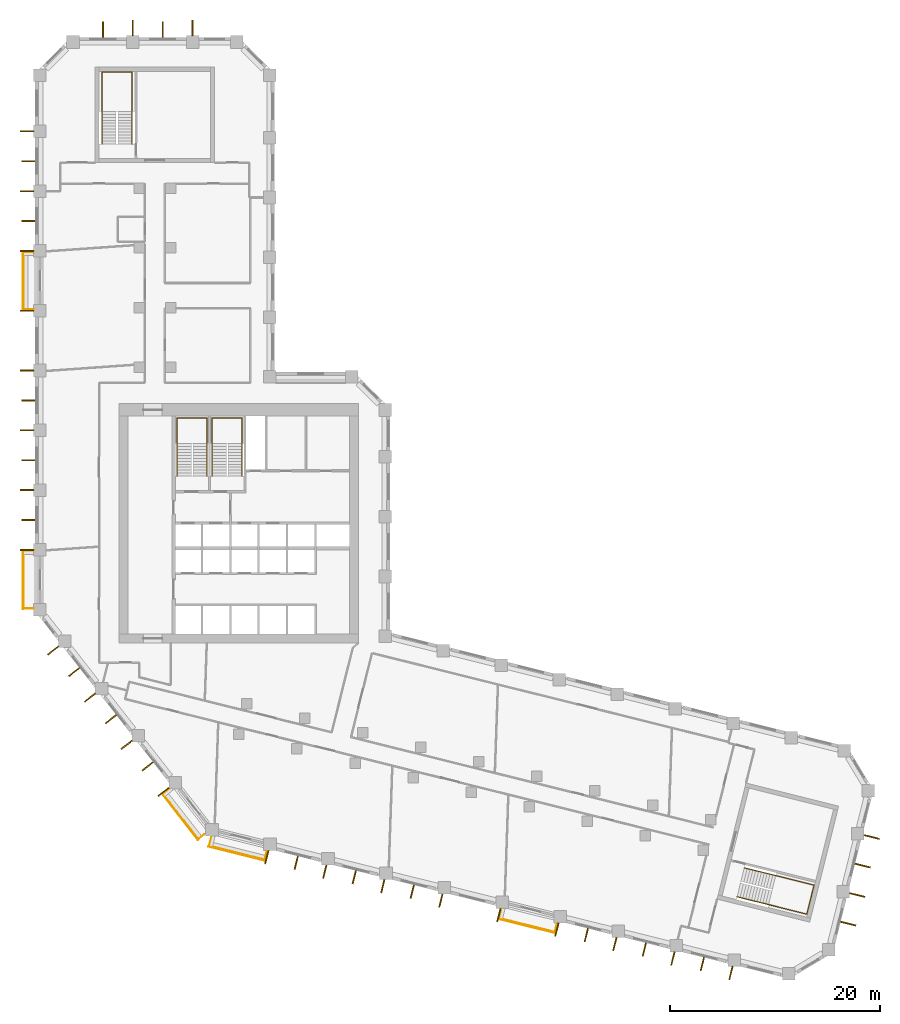
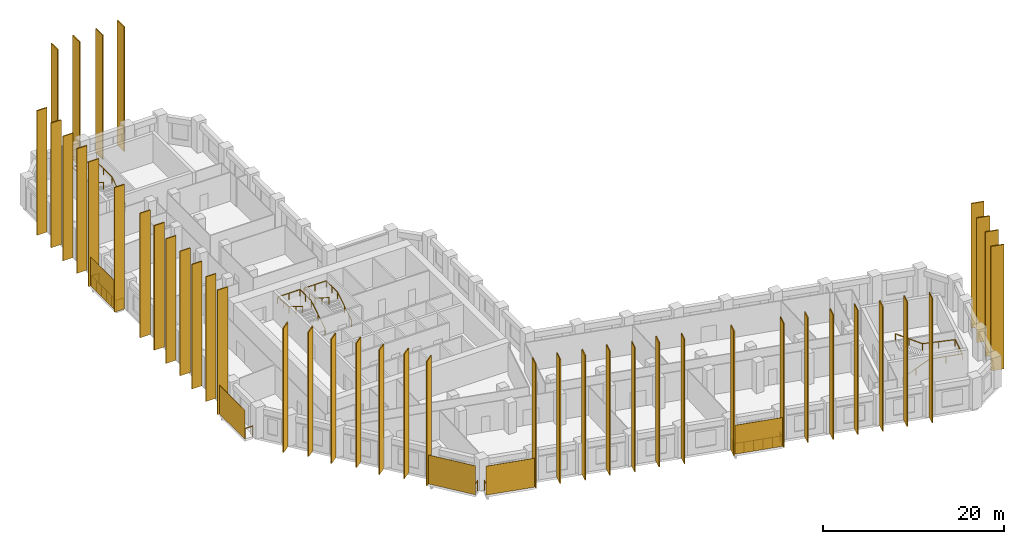
# One storey, part 10 of 10: 48 shading devices, 9 railings.
"""IFC4 building model written with IfcOpenShell, lengths in metres."""

from ifc_helpers import new_model, si_unit, direction, frame, origin, origin_2d, place, context, subcontext, project, spatial, rectangle, circle, extrude, material, layer, layer_set, type_object, element, save


model = new_model("IFC4")

# Units and contexts
model_context = context("Model", 3, precision=1e-05, world=origin(), true_north=direction((0.0, 1.0)))
body_context = subcontext(model_context, "Body", "Model", "MODEL_VIEW")
ifc_project = project(units=[si_unit("LENGTHUNIT", "METRE"), si_unit("AREAUNIT", "SQUARE_METRE"), si_unit("VOLUMEUNIT", "CUBIC_METRE"), si_unit("PLANEANGLEUNIT", "RADIAN"), si_unit("MASSUNIT", "GRAM", prefix="KILO")], contexts=[model_context])

# Site, building, storey
site_placement = place(None, origin())
site = spatial("IfcSite", under=ifc_project, at=site_placement, CompositionType="ELEMENT")
building_placement = place(site_placement, origin())
building = spatial("IfcBuilding", under=site, at=building_placement, Name="Meshkara Civic Tower", CompositionType="ELEMENT")
storey_placement = place(building_placement, frame((0.0, 0.0, 161.39990234375)))
storey = spatial("IfcBuildingStorey", under=building, at=storey_placement, Name="L36", CompositionType="ELEMENT", Elevation=161.39990234375)

# Railings
ifc_material_1 = material(Name="Steel S355", Category="steel")
railing_type_1 = type_object("IfcRailingType", Name="BALUSTRADE GUARD 1400", PredefinedType="BALUSTRADE", material=ifc_material_1)
for number, where, name in (
    (1, (-0.14990234375, 51.3349609375, 0.0), "Balcony guard"),
    (2, (-0.14990234375, 22.8349609375, 0.0), "Balcony guard"),
):
    element("IfcRailing", number, at=place(storey_placement, frame(where)), inside=storey, type_object=railing_type_1, Name=name, PredefinedType="BALUSTRADE", context=body_context, shape_type="SweptSolid", body=[
        extrude(circle(Radius=0.02392578125, at=origin_2d()), frame((0.0, 0.0, 1.3759765625), z_axis=(-1.0, 0.0, 0.0), x_axis=(0.0, -1.0, 0.0)), (0.0, 0.0, 1.0), 0.960205078125),
        extrude(circle(Radius=0.02392578125, at=origin_2d()), frame((-0.960205078125, 0.0, 1.3759765625), z_axis=(0.0, -1.0, 0.0), x_axis=(1.0, 0.0, 0.0)), (0.0, 0.0, 1.0), 5.4599609375),
        extrude(circle(Radius=0.02392578125, at=origin_2d()), frame((-0.960205078125, -5.4599609375, 1.3759765625), z_axis=(1.0, 0.0, 0.0), x_axis=(0.0, 1.0, 0.0)), (0.0, 0.0, 1.0), 0.960205078125),
        extrude(circle(Radius=0.02099609375, at=origin_2d()), origin(), (0.0, 0.0, 1.0), 1.351806640625),
        extrude(circle(Radius=0.02099609375, at=origin_2d()), frame((-0.960205078125, 0.0, 0.0)), (0.0, 0.0, 1.0), 1.351806640625),
        extrude(circle(Radius=0.02099609375, at=origin_2d()), frame((-0.960205078125, -1.092041015625, 0.0)), (0.0, 0.0, 1.0), 1.351806640625),
        extrude(circle(Radius=0.02099609375, at=origin_2d()), frame((-0.960205078125, -2.18408203125, 0.0)), (0.0, 0.0, 1.0), 1.351806640625),
        extrude(circle(Radius=0.02099609375, at=origin_2d()), frame((-0.960205078125, -3.27587890625, 0.0)), (0.0, 0.0, 1.0), 1.351806640625),
        extrude(circle(Radius=0.02099609375, at=origin_2d()), frame((-0.960205078125, -4.367919921875, 0.0)), (0.0, 0.0, 1.0), 1.351806640625),
        extrude(circle(Radius=0.02099609375, at=origin_2d()), frame((-0.960205078125, -5.4599609375, 0.0)), (0.0, 0.0, 1.0), 1.351806640625),
        extrude(circle(Radius=0.02099609375, at=origin_2d()), frame((0.0, -5.4599609375, 0.0)), (0.0, 0.0, 1.0), 1.351806640625),
    ])
railing_1_placement = place(storey_placement, frame((12.751953125, 0.14111328125, 0.0)))
element("IfcRailing", 3, at=railing_1_placement, inside=storey, type_object=railing_type_1, Name="Balcony guard", PredefinedType="BALUSTRADE", context=body_context, shape_type="SweptSolid", body=[
    extrude(circle(Radius=0.02392578125, at=origin_2d()), frame((0.0, 0.0, 1.3759765625), z_axis=(-0.788014065721, -0.615657235989, 0.0), x_axis=(0.615657235989, -0.788014065721, 0.0)), (0.0, 0.0, 1.0), 0.71826171875),
    extrude(circle(Radius=0.02392578125, at=origin_2d()), frame((-0.56591796875, -0.442138671875, 1.3759765625), z_axis=(0.615684818606, -0.787992515281, 0.0), x_axis=(0.787992515281, 0.615684818606, 0.0)), (0.0, 0.0, 1.0), 5.460693359375),
    extrude(circle(Radius=0.02392578125, at=origin_2d()), frame((2.796142578125, -4.7451171875, 1.3759765625), z_axis=(0.788178999613, 0.615446069586, 0.0), x_axis=(-0.615446069586, 0.788178999613, 0.0)), (0.0, 0.0, 1.0), 0.718017578125),
    extrude(circle(Radius=0.02099609375, at=origin_2d()), origin(), (0.0, 0.0, 1.0), 1.351806640625),
    extrude(circle(Radius=0.02099609375, at=origin_2d()), frame((-0.56591796875, -0.442138671875, 0.0)), (0.0, 0.0, 1.0), 1.351806640625),
    extrude(circle(Radius=0.02099609375, at=origin_2d()), frame((0.1064453125, -1.302734375, 0.0)), (0.0, 0.0, 1.0), 1.351806640625),
    extrude(circle(Radius=0.02099609375, at=origin_2d()), frame((0.77880859375, -2.163330078125, 0.0)), (0.0, 0.0, 1.0), 1.351806640625),
    extrude(circle(Radius=0.02099609375, at=origin_2d()), frame((1.451416015625, -3.02392578125, 0.0)), (0.0, 0.0, 1.0), 1.351806640625),
    extrude(circle(Radius=0.02099609375, at=origin_2d()), frame((2.123779296875, -3.884521484375, 0.0)), (0.0, 0.0, 1.0), 1.351806640625),
    extrude(circle(Radius=0.02099609375, at=origin_2d()), frame((2.796142578125, -4.7451171875, 0.0)), (0.0, 0.0, 1.0), 1.351806640625),
    extrude(circle(Radius=0.02099609375, at=origin_2d()), frame((3.362060546875, -4.30322265625, 0.0)), (0.0, 0.0, 1.0), 1.351806640625),
])
railing_2_placement = place(storey_placement, frame((16.7919921875, -4.472900390625, 0.0)))
element("IfcRailing", 4, at=railing_2_placement, inside=storey, type_object=railing_type_1, Name="Balcony guard", PredefinedType="BALUSTRADE", context=body_context, shape_type="SweptSolid", body=[
    extrude(circle(Radius=0.02392578125, at=origin_2d()), frame((0.0, 0.0, 1.3759765625), z_axis=(-0.242397690902, -0.970176973261, 0.0), x_axis=(0.970176973261, -0.242397690902, 0.0)), (0.0, 0.0, 1.0), 0.8330078125),
    extrude(circle(Radius=0.02392578125, at=origin_2d()), frame((-0.201904296875, -0.80810546875, 1.3759765625), z_axis=(0.9703315887, -0.241778013829, 0.0), x_axis=(0.241778013829, 0.9703315887, 0.0)), (0.0, 0.0, 1.0), 5.459716796875),
    extrude(circle(Radius=0.02392578125, at=origin_2d()), frame((5.095947265625, -2.128173828125, 1.3759765625), z_axis=(0.242673544463, 0.970108009872, 0.0), x_axis=(-0.970108009872, 0.242673544463, 0.0)), (0.0, 0.0, 1.0), 0.8330078125),
    extrude(circle(Radius=0.02099609375, at=origin_2d()), origin(), (0.0, 0.0, 1.0), 1.351806640625),
    extrude(circle(Radius=0.02099609375, at=origin_2d()), frame((-0.201904296875, -0.80810546875, 0.0)), (0.0, 0.0, 1.0), 1.351806640625),
    extrude(circle(Radius=0.02099609375, at=origin_2d()), frame((0.857666015625, -1.072021484375, 0.0)), (0.0, 0.0, 1.0), 1.351806640625),
    extrude(circle(Radius=0.02099609375, at=origin_2d()), frame((1.917236328125, -1.336181640625, 0.0)), (0.0, 0.0, 1.0), 1.351806640625),
    extrude(circle(Radius=0.02099609375, at=origin_2d()), frame((2.976806640625, -1.60009765625, 0.0)), (0.0, 0.0, 1.0), 1.351806640625),
    extrude(circle(Radius=0.02099609375, at=origin_2d()), frame((4.036376953125, -1.8642578125, 0.0)), (0.0, 0.0, 1.0), 1.351806640625),
    extrude(circle(Radius=0.02099609375, at=origin_2d()), frame((5.095947265625, -2.128173828125, 0.0)), (0.0, 0.0, 1.0), 1.351806640625),
    extrude(circle(Radius=0.02099609375, at=origin_2d()), frame((5.298095703125, -1.320068359375, 0.0)), (0.0, 0.0, 1.0), 1.351806640625),
])
railing_3_placement = place(storey_placement, frame((44.445068359375, -11.366943359375, 0.0)))
element("IfcRailing", 5, at=railing_3_placement, inside=storey, type_object=railing_type_1, Name="Balcony guard", PredefinedType="BALUSTRADE", context=body_context, shape_type="SweptSolid", body=[
    extrude(circle(Radius=0.02392578125, at=origin_2d()), frame((0.0, 0.0, 1.3759765625), z_axis=(-0.241569777604, -0.970383451296, 0.0), x_axis=(0.970383451296, -0.241569777604, 0.0)), (0.0, 0.0, 1.0), 0.832763671875),
    extrude(circle(Radius=0.02392578125, at=origin_2d()), frame((-0.201171875, -0.80810546875, 1.3759765625), z_axis=(0.970281759871, -0.241977904902, 0.0), x_axis=(0.241977904902, 0.970281759871, 0.0)), (0.0, 0.0, 1.0), 5.45947265625),
    extrude(circle(Radius=0.02392578125, at=origin_2d()), frame((5.095947265625, -2.129150390625, 1.3759765625), z_axis=(0.242397690902, 0.970176973261, 0.0), x_axis=(-0.970176973261, 0.242397690902, 0.0)), (0.0, 0.0, 1.0), 0.8330078125),
    extrude(circle(Radius=0.02099609375, at=origin_2d()), origin(), (0.0, 0.0, 1.0), 1.351806640625),
    extrude(circle(Radius=0.02099609375, at=origin_2d()), frame((-0.201171875, -0.80810546875, 0.0)), (0.0, 0.0, 1.0), 1.351806640625),
    extrude(circle(Radius=0.02099609375, at=origin_2d()), frame((0.858154296875, -1.072265625, 0.0)), (0.0, 0.0, 1.0), 1.351806640625),
    extrude(circle(Radius=0.02099609375, at=origin_2d()), frame((1.917724609375, -1.33642578125, 0.0)), (0.0, 0.0, 1.0), 1.351806640625),
    extrude(circle(Radius=0.02099609375, at=origin_2d()), frame((2.97705078125, -1.600830078125, 0.0)), (0.0, 0.0, 1.0), 1.351806640625),
    extrude(circle(Radius=0.02099609375, at=origin_2d()), frame((4.03662109375, -1.864990234375, 0.0)), (0.0, 0.0, 1.0), 1.351806640625),
    extrude(circle(Radius=0.02099609375, at=origin_2d()), frame((5.095947265625, -2.129150390625, 0.0)), (0.0, 0.0, 1.0), 1.351806640625),
    extrude(circle(Radius=0.02099609375, at=origin_2d()), frame((5.2978515625, -1.321044921875, 0.0)), (0.0, 0.0, 1.0), 1.351806640625),
])

# Shading devices
ifc_material_2 = material(Name="Bronze anodised aluminium", Category="aluminium")
ifc_layer_1 = layer(ifc_material_2, 0.1201171875)
ifc_layer_set_1 = layer_set([ifc_layer_1], Name="BRONZE FIN 1300")
shading_device_type_1 = type_object("IfcShadingDeviceType", Name="BRONZE FIN 1300", PredefinedType="USERDEFINED", material=ifc_layer_set_1)
for number, where, z_axis, x_axis, name in (
    (6, (-0.800048828125, 62.85498046875, 0.0), (0.0, 0.0, 1.0), (0.0, -1.0, 0.0), "Fin"),
    (7, (-0.64990234375, 60.0048828125, 0.0), (0.0, 0.0, 1.0), (0.0, -1.0, 0.0), "Fin"),
    (8, (-0.800048828125, 57.155029296875, 0.0), (0.0, 0.0, 1.0), (0.0, -1.0, 0.0), "Fin"),
    (9, (-0.64990234375, 54.304931640625, 0.0), (0.0, 0.0, 1.0), (0.0, -1.0, 0.0), "Fin"),
    (10, (-0.800048828125, 51.455078125, 0.0), (0.0, 0.0, 1.0), (0.0, -1.0, 0.0), "Fin"),
    (11, (-0.800048828125, 45.7548828125, 0.0), (0.0, 0.0, 1.0), (0.0, -1.0, 0.0), "Fin"),
    (12, (-0.800048828125, 40.054931640625, 0.0), (0.0, 0.0, 1.0), (0.0, -1.0, 0.0), "Fin"),
    (13, (-0.64990234375, 37.205078125, 0.0), (0.0, 0.0, 1.0), (0.0, -1.0, 0.0), "Fin"),
    (14, (-0.800048828125, 34.35498046875, 0.0), (0.0, 0.0, 1.0), (0.0, -1.0, 0.0), "Fin"),
    (15, (-0.64990234375, 31.5048828125, 0.0), (0.0, 0.0, 1.0), (0.0, -1.0, 0.0), "Fin"),
    (16, (-0.800048828125, 28.655029296875, 0.0), (0.0, 0.0, 1.0), (0.0, -1.0, 0.0), "Fin"),
    (17, (-0.64990234375, 25.804931640625, 0.0), (0.0, 0.0, 1.0), (0.0, -1.0, 0.0), "Fin"),
    (18, (-0.800048828125, 22.955078125, 0.0), (0.0, 0.0, 1.0), (0.0, -1.0, 0.0), "Fin"),
    (19, (1.701904296875, 13.360107421875, 0.0), (0.0, 0.0, 1.0), (0.615661475326, -0.788010753607, 0.0), "Fin"),
    (20, (3.701904296875, 11.305908203125, 0.0), (0.0, 0.0, 1.0), (0.615661475326, -0.788010753607, 0.0), "Fin"),
    (21, (5.2109375, 8.867919921875, 0.0), (0.0, 0.0, 1.0), (0.615661475326, -0.788010753607, 0.0), "Fin"),
    (22, (7.2109375, 6.81396484375, 0.0), (0.0, 0.0, 1.0), (0.615661475326, -0.788010753607, 0.0), "Fin"),
    (23, (8.720947265625, 4.3759765625, 0.0), (0.0, 0.0, 1.0), (0.615661475326, -0.788010753607, 0.0), "Fin"),
    (24, (10.720947265625, 2.322021484375, 0.0), (0.0, 0.0, 1.0), (0.615661475326, -0.788010753607, 0.0), "Fin"),
    (25, (12.22998046875, -0.114990234375, 0.0), (0.0, 0.0, 1.0), (0.615661475326, -0.788010753607, 0.0), "Fin"),
    (26, (22.074951171875, -6.347900390625, 0.0), (0.0, 0.0, 1.0), (0.970299948462, -0.241904960708, 0.0), "Fin"),
    (27, (24.881103515625, -6.873046875, 0.0), (0.0, 0.0, 1.0), (0.970299948462, -0.241904960708, 0.0), "Fin"),
    (28, (27.60498046875, -7.72705078125, 0.0), (0.0, 0.0, 1.0), (0.970299948462, -0.241904960708, 0.0), "Fin"),
    (29, (30.412109375, -8.251953125, 0.0), (0.0, 0.0, 1.0), (0.970299948462, -0.241904960708, 0.0), "Fin"),
    (30, (33.135986328125, -9.10595703125, 0.0), (0.0, 0.0, 1.0), (0.970299948462, -0.241904960708, 0.0), "Fin"),
    (31, (35.94189453125, -9.631103515625, 0.0), (0.0, 0.0, 1.0), (0.970299948462, -0.241904960708, 0.0), "Fin"),
    (32, (38.6669921875, -10.48388671875, 0.0), (0.0, 0.0, 1.0), (0.970299948462, -0.241904960708, 0.0), "Fin"),
    (33, (44.197998046875, -11.863037109375, 0.0), (0.0, 0.0, 1.0), (0.970299948462, -0.241904960708, 0.0), "Fin"),
    (34, (49.72802734375, -13.241943359375, 0.0), (0.0, 0.0, 1.0), (0.970299948462, -0.241904960708, 0.0), "Fin"),
    (35, (52.533935546875, -13.76806640625, 0.0), (0.0, 0.0, 1.0), (0.970299948462, -0.241904960708, 0.0), "Fin"),
    (36, (55.259033203125, -14.62109375, 0.0), (0.0, 0.0, 1.0), (0.970299948462, -0.241904960708, 0.0), "Fin"),
    (37, (58.06494140625, -15.14697265625, 0.0), (0.0, 0.0, 1.0), (0.970299948462, -0.241904960708, 0.0), "Fin"),
    (38, (60.7900390625, -16.0, 0.0), (0.0, 0.0, 1.0), (0.970299948462, -0.241904960708, 0.0), "Fin"),
    (39, (63.595947265625, -16.52587890625, 0.0), (0.0, 0.0, 1.0), (0.970299948462, -0.241904960708, 0.0), "Fin"),
    (40, (66.320068359375, -17.37890625, 0.0), (0.0, 0.0, 1.0), (0.970299948462, -0.241904960708, 0.0), "Fin"),
):
    element("IfcShadingDevice", number, at=place(storey_placement, frame(where, z_axis=z_axis, x_axis=x_axis)), inside=storey, type_object=shading_device_type_1, Name=name, ObjectType="FIN", PredefinedType="USERDEFINED", context=body_context, shape_type="SweptSolid", body=[
        extrude(rectangle(XDim=0.1201171875, YDim=1.300048828125, at=origin_2d()), origin(), (0.0, 0.0, 1.0), 16.800048828125),
    ])
ifc_material_3 = material(Name="Bronze anodised aluminium", Category="aluminium")
ifc_layer_2 = layer(ifc_material_3, 0.1201171875)
ifc_layer_set_2 = layer_set([ifc_layer_2], Name="BRONZE FIN 1500")
shading_device_type_2 = type_object("IfcShadingDeviceType", Name="BRONZE FIN 1500", PredefinedType="USERDEFINED", material=ifc_layer_set_2)
for number, where, z_axis, x_axis, name in (
    (41, (15.006103515625, 72.719970703125, 0.0), (0.0, 0.0, 1.0), (-1.0, 0.0, 0.0), "Fin"),
    (42, (12.156005859375, 72.570068359375, 0.0), (0.0, 0.0, 1.0), (-1.0, 0.0, 0.0), "Fin"),
    (43, (9.305908203125, 72.719970703125, 0.0), (0.0, 0.0, 1.0), (-1.0, 0.0, 0.0), "Fin"),
    (44, (6.4560546875, 72.570068359375, 0.0), (0.0, 0.0, 1.0), (-1.0, 0.0, 0.0), "Fin"),
    (45, (77.507080078125, -12.669921875, 0.0), (0.0, 0.0, 1.0), (0.2419218956, 0.970295726276, 0.0), "Fin"),
    (46, (78.360107421875, -9.945068359375, 0.0), (0.0, 0.0, 1.0), (0.2419218956, 0.970295726276, 0.0), "Fin"),
    (47, (78.885986328125, -7.138916015625, 0.0), (0.0, 0.0, 1.0), (0.2419218956, 0.970295726276, 0.0), "Fin"),
    (48, (79.739013671875, -4.4150390625, 0.0), (0.0, 0.0, 1.0), (0.2419218956, 0.970295726276, 0.0), "Fin"),
):
    element("IfcShadingDevice", number, at=place(storey_placement, frame(where, z_axis=z_axis, x_axis=x_axis)), inside=storey, type_object=shading_device_type_2, Name=name, ObjectType="FIN", PredefinedType="USERDEFINED", context=body_context, shape_type="SweptSolid", body=[
        extrude(rectangle(XDim=0.1201171875, YDim=1.5, at=origin_2d()), origin(), (0.0, 0.0, 1.0), 16.800048828125),
    ])
ifc_material_4 = material(Name="Perforated bronze anodised aluminium sheet", Category="aluminium")
ifc_layer_3 = layer(ifc_material_4, 0.0400390625)
ifc_layer_set_3 = layer_set([ifc_layer_3], Name="PERFORATED BRONZE SCREEN")
shading_device_type_3 = type_object("IfcShadingDeviceType", Name="PERFORATED BRONZE SCREEN", PredefinedType="USERDEFINED", material=ifc_layer_set_3)
for number, where, z_axis, x_axis, name in (
    (49, (-1.179931640625, 48.60498046875, 0.000244140625), (0.0, 0.0, 1.0), (0.0, -1.0, 0.0), "Balcony screen"),
    (50, (-1.179931640625, 20.10498046875, 0.000244140625), (0.0, 0.0, 1.0), (0.0, -1.0, 0.0), "Balcony screen"),
    (51, (13.81201171875, -2.4951171875, 0.000244140625), (0.0, 0.0, 1.0), (0.615661475326, -0.788010753607, 0.0), "Balcony screen"),
    (52, (19.221923828125, -6.009033203125, 0.000244140625), (0.0, 0.0, 1.0), (0.970299948462, -0.241904960708, 0.0), "Balcony screen"),
):
    element("IfcShadingDevice", number, at=place(storey_placement, frame(where, z_axis=z_axis, x_axis=x_axis)), inside=storey, type_object=shading_device_type_3, Name=name, ObjectType="SCREEN", PredefinedType="USERDEFINED", context=body_context, shape_type="SweptSolid", body=[
        extrude(rectangle(XDim=5.580078125, YDim=0.0400390625, at=origin_2d()), origin(), (0.0, 0.0, 1.0), 3.89990234375),
    ])
shading_device_placement = place(storey_placement, frame((46.8759765625, -12.903076171875, 0.000244140625), z_axis=(0.0, 0.0, 1.0), x_axis=(0.970299948462, -0.241904960708, 0.0)))
element("IfcShadingDevice", 53, at=shading_device_placement, inside=storey, type_object=shading_device_type_3, Name="Balcony screen", ObjectType="SCREEN", PredefinedType="USERDEFINED", context=body_context, shape_type="SweptSolid", body=[
    extrude(rectangle(XDim=5.5791015625, YDim=0.0400390625, at=origin_2d()), origin(), (0.0, 0.0, 1.0), 3.89990234375),
])

# Railings
ifc_material_5 = material(Name="Steel handrail", Category="steel")
railing_type_2 = type_object("IfcRailingType", Name="Stair handrail 900", PredefinedType="HANDRAIL", material=ifc_material_5)
railing_4_placement = place(storey_placement, frame((16.375, 30.0, 0.175048828125)))
element("IfcRailing", 54, at=railing_4_placement, inside=storey, type_object=railing_type_2, Name="L36 ST1 stair handrail 1", PredefinedType="HANDRAIL", context=body_context, shape_type="SweptSolid", body=[
    extrude(circle(Radius=0.02392578125, at=origin_2d()), frame((0.0, 0.0, 0.8759765625), z_axis=(0.0, 0.847998304005, 0.529998940003), x_axis=(-1.0, 0.0, 0.0)), (0.0, 0.0, 1.0), 3.632080078125),
    extrude(circle(Radius=0.02392578125, at=origin_2d()), frame((0.0, 3.080078125, 2.80078125), z_axis=(0.0, 1.0, 0.0), x_axis=(-1.0, 0.0, 0.0)), (0.0, 0.0, 1.0), 2.469970703125),
    extrude(circle(Radius=0.02392578125, at=origin_2d()), frame((0.0, 5.550048828125, 2.80078125), z_axis=(-1.0, 0.0, 0.0), x_axis=(0.0, -1.0, 0.0)), (0.0, 0.0, 1.0), 2.85009765625),
    extrude(circle(Radius=0.02392578125, at=origin_2d()), frame((-2.85009765625, 5.550048828125, 2.80078125), z_axis=(0.0, -0.997498084828, 0.070693498747), x_axis=(1.0, 0.0, 0.0)), (0.0, 0.0, 1.0), 2.47607421875),
    extrude(circle(Radius=0.02392578125, at=origin_2d()), frame((-2.85009765625, 3.080078125, 2.97607421875), z_axis=(0.0, -0.847998304005, 0.529998940003), x_axis=(1.0, 0.0, 0.0)), (0.0, 0.0, 1.0), 3.632080078125),
    extrude(circle(Radius=0.02099609375, at=origin_2d()), origin(), (0.0, 0.0, 1.0), 0.851806640625),
    extrude(circle(Radius=0.02099609375, at=origin_2d()), frame((0.0, 1.5400390625, 0.96240234375)), (0.0, 0.0, 1.0), 0.851806640625),
    extrude(circle(Radius=0.02099609375, at=origin_2d()), frame((0.0, 3.080078125, 1.925048828125)), (0.0, 0.0, 1.0), 0.851806640625),
    extrude(circle(Radius=0.02099609375, at=origin_2d()), frame((0.0, 4.31494140625, 1.925048828125)), (0.0, 0.0, 1.0), 0.851806640625),
    extrude(circle(Radius=0.02099609375, at=origin_2d()), frame((0.0, 5.550048828125, 1.925048828125)), (0.0, 0.0, 1.0), 0.851806640625),
    extrude(circle(Radius=0.02099609375, at=origin_2d()), frame((-1.425048828125, 5.550048828125, 1.925048828125)), (0.0, 0.0, 1.0), 0.851806640625),
    extrude(circle(Radius=0.02099609375, at=origin_2d()), frame((-2.85009765625, 5.550048828125, 1.925048828125)), (0.0, 0.0, 1.0), 0.851806640625),
    extrude(circle(Radius=0.02099609375, at=origin_2d()), frame((-2.85009765625, 4.31494140625, 2.0126953125)), (0.0, 0.0, 1.0), 0.851806640625),
    extrude(circle(Radius=0.02099609375, at=origin_2d()), frame((-2.85009765625, 3.080078125, 2.10009765625)), (0.0, 0.0, 1.0), 0.851806640625),
    extrude(circle(Radius=0.02099609375, at=origin_2d()), frame((-2.85009765625, 1.5400390625, 3.0625)), (0.0, 0.0, 1.0), 0.851806640625),
    extrude(circle(Radius=0.02099609375, at=origin_2d()), frame((-2.85009765625, 0.0, 4.025146484375)), (0.0, 0.0, 1.0), 0.851806640625),
])
railing_5_placement = place(storey_placement, frame((19.72509765625, 30.0, 0.175048828125)))
element("IfcRailing", 55, at=railing_5_placement, inside=storey, type_object=railing_type_2, Name="L36 ST2 stair handrail 1", PredefinedType="HANDRAIL", context=body_context, shape_type="SweptSolid", body=[
    extrude(circle(Radius=0.02392578125, at=origin_2d()), frame((0.0, 0.0, 0.8759765625), z_axis=(0.0, 0.847998304005, 0.529998940003), x_axis=(-1.0, 0.0, 0.0)), (0.0, 0.0, 1.0), 3.632080078125),
    extrude(circle(Radius=0.02392578125, at=origin_2d()), frame((0.0, 3.080078125, 2.80078125), z_axis=(0.0, 1.0, 0.0), x_axis=(-1.0, 0.0, 0.0)), (0.0, 0.0, 1.0), 2.469970703125),
    extrude(circle(Radius=0.02392578125, at=origin_2d()), frame((0.0, 5.550048828125, 2.80078125), z_axis=(-1.0, 0.0, 0.0), x_axis=(0.0, -1.0, 0.0)), (0.0, 0.0, 1.0), 2.85009765625),
    extrude(circle(Radius=0.02392578125, at=origin_2d()), frame((-2.85009765625, 5.550048828125, 2.80078125), z_axis=(0.0, -0.997498084828, 0.070693498747), x_axis=(1.0, 0.0, 0.0)), (0.0, 0.0, 1.0), 2.47607421875),
    extrude(circle(Radius=0.02392578125, at=origin_2d()), frame((-2.85009765625, 3.080078125, 2.97607421875), z_axis=(0.0, -0.847998304005, 0.529998940003), x_axis=(1.0, 0.0, 0.0)), (0.0, 0.0, 1.0), 3.632080078125),
    extrude(circle(Radius=0.02099609375, at=origin_2d()), origin(), (0.0, 0.0, 1.0), 0.851806640625),
    extrude(circle(Radius=0.02099609375, at=origin_2d()), frame((0.0, 1.5400390625, 0.96240234375)), (0.0, 0.0, 1.0), 0.851806640625),
    extrude(circle(Radius=0.02099609375, at=origin_2d()), frame((0.0, 3.080078125, 1.925048828125)), (0.0, 0.0, 1.0), 0.851806640625),
    extrude(circle(Radius=0.02099609375, at=origin_2d()), frame((0.0, 4.31494140625, 1.925048828125)), (0.0, 0.0, 1.0), 0.851806640625),
    extrude(circle(Radius=0.02099609375, at=origin_2d()), frame((0.0, 5.550048828125, 1.925048828125)), (0.0, 0.0, 1.0), 0.851806640625),
    extrude(circle(Radius=0.02099609375, at=origin_2d()), frame((-1.425048828125, 5.550048828125, 1.925048828125)), (0.0, 0.0, 1.0), 0.851806640625),
    extrude(circle(Radius=0.02099609375, at=origin_2d()), frame((-2.85009765625, 5.550048828125, 1.925048828125)), (0.0, 0.0, 1.0), 0.851806640625),
    extrude(circle(Radius=0.02099609375, at=origin_2d()), frame((-2.85009765625, 4.31494140625, 2.0126953125)), (0.0, 0.0, 1.0), 0.851806640625),
    extrude(circle(Radius=0.02099609375, at=origin_2d()), frame((-2.85009765625, 3.080078125, 2.10009765625)), (0.0, 0.0, 1.0), 0.851806640625),
    extrude(circle(Radius=0.02099609375, at=origin_2d()), frame((-2.85009765625, 1.5400390625, 3.0625)), (0.0, 0.0, 1.0), 0.851806640625),
    extrude(circle(Radius=0.02099609375, at=origin_2d()), frame((-2.85009765625, 0.0, 4.025146484375)), (0.0, 0.0, 1.0), 0.851806640625),
])
railing_6_placement = place(storey_placement, frame((9.22509765625, 61.669921875, 0.175048828125)))
element("IfcRailing", 56, at=railing_6_placement, inside=storey, type_object=railing_type_2, Name="L36 ESA3 stair handrail 1", PredefinedType="HANDRAIL", context=body_context, shape_type="SweptSolid", body=[
    extrude(circle(Radius=0.02392578125, at=origin_2d()), frame((0.0, 0.0, 0.8759765625), z_axis=(0.0, 0.847998304005, 0.529998940003), x_axis=(-1.0, 0.0, 0.0)), (0.0, 0.0, 1.0), 3.632080078125),
    extrude(circle(Radius=0.02392578125, at=origin_2d()), frame((0.0, 3.080078125, 2.80078125), z_axis=(0.0, 1.0, 0.0), x_axis=(-1.0, 0.0, 0.0)), (0.0, 0.0, 1.0), 3.77001953125),
    extrude(circle(Radius=0.02392578125, at=origin_2d()), frame((0.0, 6.85009765625, 2.80078125), z_axis=(-1.0, 0.0, 0.0), x_axis=(0.0, -1.0, 0.0)), (0.0, 0.0, 1.0), 2.85009765625),
    extrude(circle(Radius=0.02392578125, at=origin_2d()), frame((-2.85009765625, 6.85009765625, 2.80078125), z_axis=(0.0, -0.9989237834, 0.046381838667), x_axis=(1.0, 0.0, 0.0)), (0.0, 0.0, 1.0), 3.774169921875),
    extrude(circle(Radius=0.02392578125, at=origin_2d()), frame((-2.85009765625, 3.080078125, 2.97607421875), z_axis=(0.0, -0.847998304005, 0.529998940003), x_axis=(1.0, 0.0, 0.0)), (0.0, 0.0, 1.0), 3.632080078125),
    extrude(circle(Radius=0.02099609375, at=origin_2d()), origin(), (0.0, 0.0, 1.0), 0.851806640625),
    extrude(circle(Radius=0.02099609375, at=origin_2d()), frame((0.0, 1.5400390625, 0.96240234375)), (0.0, 0.0, 1.0), 0.851806640625),
    extrude(circle(Radius=0.02099609375, at=origin_2d()), frame((0.0, 3.080078125, 1.925048828125)), (0.0, 0.0, 1.0), 0.851806640625),
    extrude(circle(Radius=0.02099609375, at=origin_2d()), frame((0.0, 4.965087890625, 1.925048828125)), (0.0, 0.0, 1.0), 0.851806640625),
    extrude(circle(Radius=0.02099609375, at=origin_2d()), frame((0.0, 6.85009765625, 1.925048828125)), (0.0, 0.0, 1.0), 0.851806640625),
    extrude(circle(Radius=0.02099609375, at=origin_2d()), frame((-1.425048828125, 6.85009765625, 1.925048828125)), (0.0, 0.0, 1.0), 0.851806640625),
    extrude(circle(Radius=0.02099609375, at=origin_2d()), frame((-2.85009765625, 6.85009765625, 1.925048828125)), (0.0, 0.0, 1.0), 0.851806640625),
    extrude(circle(Radius=0.02099609375, at=origin_2d()), frame((-2.85009765625, 4.965087890625, 2.0126953125)), (0.0, 0.0, 1.0), 0.851806640625),
    extrude(circle(Radius=0.02099609375, at=origin_2d()), frame((-2.85009765625, 3.080078125, 2.10009765625)), (0.0, 0.0, 1.0), 0.851806640625),
    extrude(circle(Radius=0.02099609375, at=origin_2d()), frame((-2.85009765625, 1.5400390625, 3.0625)), (0.0, 0.0, 1.0), 0.851806640625),
    extrude(circle(Radius=0.02099609375, at=origin_2d()), frame((-2.85009765625, 0.0, 4.025146484375)), (0.0, 0.0, 1.0), 0.851806640625),
])
railing_7_placement = place(storey_placement, frame((66.910888671875, -10.1123046875, 0.175048828125)))
element("IfcRailing", 57, at=railing_7_placement, inside=storey, type_object=railing_type_2, Name="L36 ESB3 stair handrail 1", PredefinedType="HANDRAIL", context=body_context, shape_type="SweptSolid", body=[
    extrude(circle(Radius=0.02392578125, at=origin_2d()), frame((0.0, 0.0, 0.8759765625), z_axis=(0.822816010835, -0.205082235851, 0.530014234575), x_axis=(0.241845469214, 0.970314778317, 0.0)), (0.0, 0.0, 1.0), 3.632080078125),
    extrude(circle(Radius=0.02392578125, at=origin_2d()), frame((2.988525390625, -0.744873046875, 2.80078125), z_axis=(0.970325068916, -0.241804178279, 0.0), x_axis=(0.241804178279, 0.970325068916, 0.0)), (0.0, 0.0, 1.0), 3.77001953125),
    extrude(circle(Radius=0.02392578125, at=origin_2d()), frame((6.646728515625, -1.656494140625, 2.80078125), z_axis=(0.24183009087, 0.970318611153, 0.0), x_axis=(-0.970318611153, 0.24183009087, 0.0)), (0.0, 0.0, 1.0), 2.849853515625),
    extrude(circle(Radius=0.02392578125, at=origin_2d()), frame((7.3359375, 1.10888671875, 2.80078125), z_axis=(-0.969280822407, 0.241543952941, 0.046381096481), x_axis=(-0.241804178279, -0.970325068916, 0.0)), (0.0, 0.0, 1.0), 3.774169921875),
    extrude(circle(Radius=0.02392578125, at=origin_2d()), frame((3.677734375, 2.0205078125, 2.97607421875), z_axis=(-0.822816010835, 0.205082235851, 0.530014234575), x_axis=(-0.241845469214, -0.970314778317, 0.0)), (0.0, 0.0, 1.0), 3.632080078125),
    extrude(circle(Radius=0.02099609375, at=origin_2d()), origin(), (0.0, 0.0, 1.0), 0.851806640625),
    extrude(circle(Radius=0.02099609375, at=origin_2d()), frame((1.494140625, -0.37255859375, 0.96240234375)), (0.0, 0.0, 1.0), 0.851806640625),
    extrude(circle(Radius=0.02099609375, at=origin_2d()), frame((2.988525390625, -0.744873046875, 1.925048828125)), (0.0, 0.0, 1.0), 0.851806640625),
    extrude(circle(Radius=0.02099609375, at=origin_2d()), frame((4.817626953125, -1.20068359375, 1.925048828125)), (0.0, 0.0, 1.0), 0.851806640625),
    extrude(circle(Radius=0.02099609375, at=origin_2d()), frame((6.646728515625, -1.656494140625, 1.925048828125)), (0.0, 0.0, 1.0), 0.851806640625),
    extrude(circle(Radius=0.02099609375, at=origin_2d()), frame((6.9912109375, -0.27392578125, 1.925048828125)), (0.0, 0.0, 1.0), 0.851806640625),
    extrude(circle(Radius=0.02099609375, at=origin_2d()), frame((7.3359375, 1.10888671875, 1.925048828125)), (0.0, 0.0, 1.0), 0.851806640625),
    extrude(circle(Radius=0.02099609375, at=origin_2d()), frame((5.5068359375, 1.564697265625, 2.0126953125)), (0.0, 0.0, 1.0), 0.851806640625),
    extrude(circle(Radius=0.02099609375, at=origin_2d()), frame((3.677734375, 2.0205078125, 2.10009765625)), (0.0, 0.0, 1.0), 0.851806640625),
    extrude(circle(Radius=0.02099609375, at=origin_2d()), frame((2.18359375, 2.39306640625, 3.0625)), (0.0, 0.0, 1.0), 0.851806640625),
    extrude(circle(Radius=0.02099609375, at=origin_2d()), frame((0.689208984375, 2.765380859375, 4.025146484375)), (0.0, 0.0, 1.0), 0.851806640625),
])

save(model, "model.ifc")
